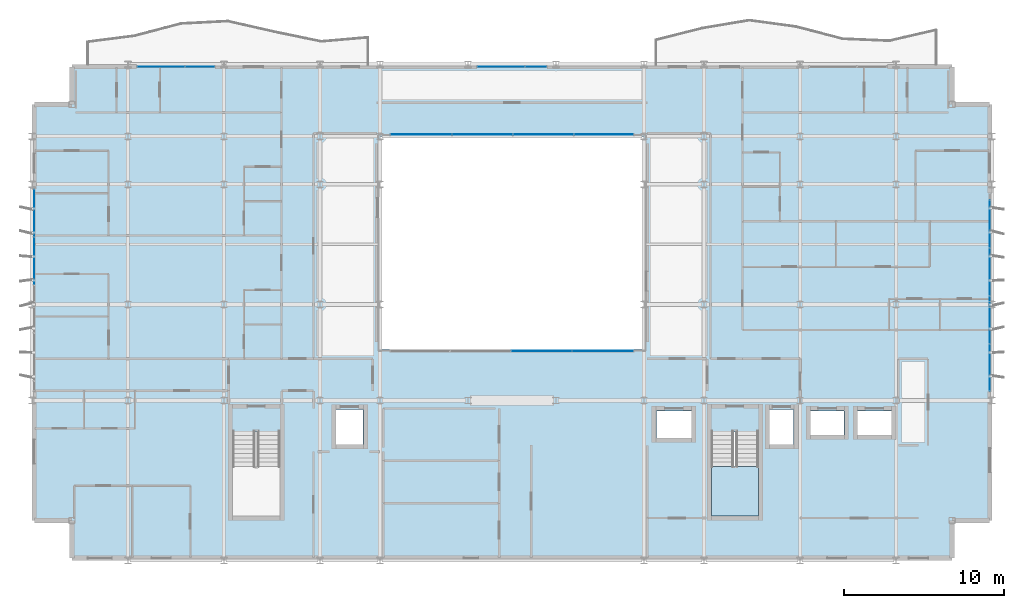
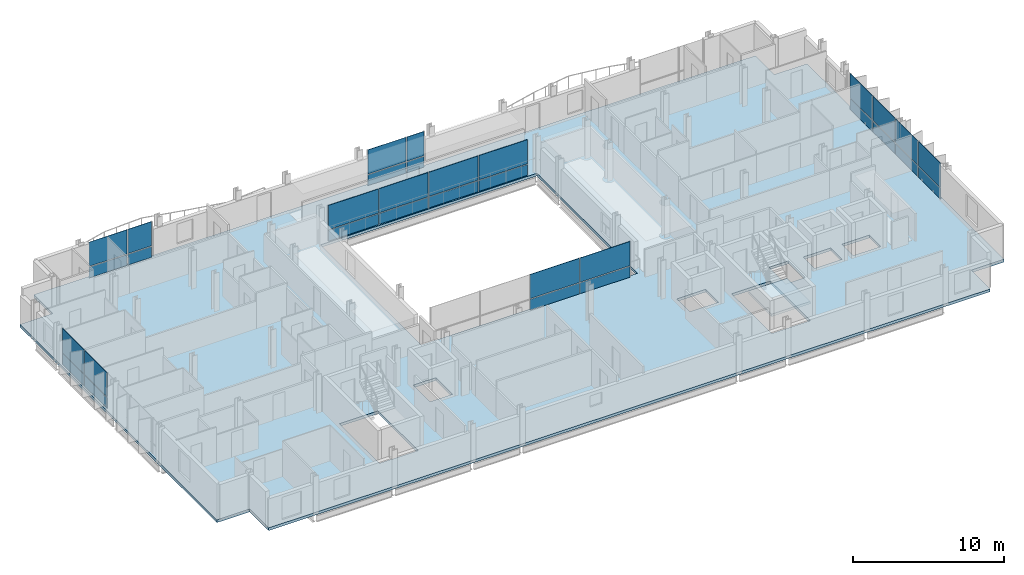
# One storey, part 25 of 38: 32 plates, 2 slabs, 7 elements without a shape of their own.
"""IFC4 building model written with IfcOpenShell, lengths in metres."""

from ifc_helpers import new_model, si_unit, direction, frame, origin, origin_2d, place, context, subcontext, project, spatial, polyline, rectangle, outline, extrude, material, layer, layer_set, type_object, element, aggregate, save


model = new_model("IFC4")

# Units and contexts
model_context = context("Model", 3, precision=1e-05, world=origin(), true_north=direction((0.0, 1.0)))
body_context = subcontext(model_context, "Body", "Model", "MODEL_VIEW")
ifc_project = project(units=[si_unit("LENGTHUNIT", "METRE"), si_unit("AREAUNIT", "SQUARE_METRE"), si_unit("VOLUMEUNIT", "CUBIC_METRE"), si_unit("PLANEANGLEUNIT", "RADIAN"), si_unit("MASSUNIT", "GRAM", prefix="KILO")], contexts=[model_context])

# Site, building, storey
site_placement = place(None, origin())
site = spatial("IfcSite", under=ifc_project, at=site_placement, CompositionType="ELEMENT")
building_placement = place(site_placement, origin())
building = spatial("IfcBuilding", under=site, at=building_placement, Name="Brevholm Reach", CompositionType="ELEMENT")
storey_placement = place(building_placement, frame((0.0, 0.0, 141.800048828125)))
storey = spatial("IfcBuildingStorey", under=building, at=storey_placement, Name="L42", CompositionType="ELEMENT", Elevation=141.800048828125)

# Curtain wall, plates
ifc_material_1 = material(Name="Dark Anodised Aluminium 6063-T6 and Solar-Control Glass", Category="aluminium")
ifc_layer_1 = layer(ifc_material_1, 0.14990234375)
ifc_layer_set_1 = layer_set([ifc_layer_1], Name="Dark Anodised Aluminium 6063-T6 and Solar-Control Glass")
curtain_wall_type_1 = type_object("IfcCurtainWallType", Name="CW-01", PredefinedType="NOTDEFINED", material=ifc_layer_set_1)
curtain_wall_1_placement = place(storey_placement, origin())
curtain_wall_1 = element("IfcCurtainWall", 1, at=curtain_wall_1_placement, inside=storey, type_object=curtain_wall_type_1, Name="L42 Curtain Wall CW-01", PredefinedType="NOTDEFINED")
ifc_material_2 = material(Name="Dark Solar-Control Double-Glazed IGU Glass", Category="glass")
ifc_layer_2 = layer(ifc_material_2, 0.028076171875)
ifc_layer_set_2 = layer_set([ifc_layer_2], Name="Dark Solar-Control Double-Glazed IGU Glass")
plate_type_1 = type_object("IfcPlateType", Name="CWP-GLZ-28", PredefinedType="CURTAIN_PANEL", material=ifc_layer_set_2)
plate_1_placement = place(storey_placement, frame((0.14990234375, 21.703857421875, 0.0), z_axis=(0.0, 0.0, 1.0), x_axis=(0.0, -1.0, 0.0)))
plate_1 = element("IfcPlate", 2, at=plate_1_placement, type_object=plate_type_1, Name="CP-01 Glazing Panel 1.1", PredefinedType="CURTAIN_PANEL", context=body_context, shape_type="SweptSolid", body=[
    extrude(rectangle(XDim=2.902587890625, YDim=0.028076171875, at=origin_2d()), origin(), (0.0, 0.0, 1.0), 0.867431640625),
])
plate_2_placement = place(storey_placement, frame((0.14990234375, 21.703857421875, 0.9326171875), z_axis=(0.0, 0.0, 1.0), x_axis=(0.0, -1.0, 0.0)))
plate_2 = element("IfcPlate", 3, at=plate_2_placement, type_object=plate_type_1, Name="CP-01 Glazing Panel 1.2", PredefinedType="CURTAIN_PANEL", context=body_context, shape_type="SweptSolid", body=[
    extrude(rectangle(XDim=2.902587890625, YDim=0.028076171875, at=origin_2d()), origin(), (0.0, 0.0, 1.0), 1.947509765625),
])
plate_3_placement = place(storey_placement, frame((0.14990234375, 18.719970703125, 0.0), z_axis=(0.0, 0.0, 1.0), x_axis=(0.0, -1.0, 0.0)))
plate_3 = element("IfcPlate", 4, at=plate_3_placement, type_object=plate_type_1, Name="CP-01 Glazing Panel 2.1", PredefinedType="CURTAIN_PANEL", context=body_context, shape_type="SweptSolid", body=[
    extrude(rectangle(XDim=2.93505859375, YDim=0.028076171875, at=origin_2d()), origin(), (0.0, 0.0, 1.0), 0.867431640625),
])
plate_4_placement = place(storey_placement, frame((0.14990234375, 18.719970703125, 0.9326171875), z_axis=(0.0, 0.0, 1.0), x_axis=(0.0, -1.0, 0.0)))
plate_4 = element("IfcPlate", 5, at=plate_4_placement, type_object=plate_type_1, Name="CP-01 Glazing Panel 2.2", PredefinedType="CURTAIN_PANEL", context=body_context, shape_type="SweptSolid", body=[
    extrude(rectangle(XDim=2.93505859375, YDim=0.028076171875, at=origin_2d()), origin(), (0.0, 0.0, 1.0), 1.947509765625),
])
aggregate(curtain_wall_1, [plate_1, plate_2, plate_3, plate_4])

curtain_wall_2_placement = place(storey_placement, origin())
curtain_wall_2 = element("IfcCurtainWall", 6, at=curtain_wall_2_placement, inside=storey, type_object=curtain_wall_type_1, Name="L42 Curtain Wall CW-01", PredefinedType="NOTDEFINED")
plate_5_placement = place(storey_placement, frame((59.85009765625, 12.066162109375, 0.0), z_axis=(0.0, 0.0, 1.0), x_axis=(0.0, 1.0, 0.0)))
plate_5 = element("IfcPlate", 7, at=plate_5_placement, type_object=plate_type_1, Name="CP-01 Glazing Panel 1.1", PredefinedType="CURTAIN_PANEL", context=body_context, shape_type="SweptSolid", body=[
    extrude(rectangle(XDim=2.902587890625, YDim=0.028076171875, at=origin_2d()), origin(), (0.0, 0.0, 1.0), 0.867431640625),
])
plate_6_placement = place(storey_placement, frame((59.85009765625, 12.066162109375, 0.9326171875), z_axis=(0.0, 0.0, 1.0), x_axis=(0.0, 1.0, 0.0)))
plate_6 = element("IfcPlate", 8, at=plate_6_placement, type_object=plate_type_1, Name="CP-01 Glazing Panel 1.2", PredefinedType="CURTAIN_PANEL", context=body_context, shape_type="SweptSolid", body=[
    extrude(rectangle(XDim=2.902587890625, YDim=0.028076171875, at=origin_2d()), origin(), (0.0, 0.0, 1.0), 1.947509765625),
])
plate_7_placement = place(storey_placement, frame((59.85009765625, 15.050048828125, 0.0), z_axis=(0.0, 0.0, 1.0), x_axis=(0.0, 1.0, 0.0)))
plate_7 = element("IfcPlate", 9, at=plate_7_placement, type_object=plate_type_1, Name="CP-01 Glazing Panel 2.1", PredefinedType="CURTAIN_PANEL", context=body_context, shape_type="SweptSolid", body=[
    extrude(rectangle(XDim=2.93505859375, YDim=0.028076171875, at=origin_2d()), origin(), (0.0, 0.0, 1.0), 0.867431640625),
])
plate_8_placement = place(storey_placement, frame((59.85009765625, 15.050048828125, 0.9326171875), z_axis=(0.0, 0.0, 1.0), x_axis=(0.0, 1.0, 0.0)))
plate_8 = element("IfcPlate", 10, at=plate_8_placement, type_object=plate_type_1, Name="CP-01 Glazing Panel 2.2", PredefinedType="CURTAIN_PANEL", context=body_context, shape_type="SweptSolid", body=[
    extrude(rectangle(XDim=2.93505859375, YDim=0.028076171875, at=origin_2d()), origin(), (0.0, 0.0, 1.0), 1.947509765625),
])
plate_9_placement = place(storey_placement, frame((59.85009765625, 18.050048828125, 0.0), z_axis=(0.0, 0.0, 1.0), x_axis=(0.0, 1.0, 0.0)))
plate_9 = element("IfcPlate", 11, at=plate_9_placement, type_object=plate_type_1, Name="CP-01 Glazing Panel 3.1", PredefinedType="CURTAIN_PANEL", context=body_context, shape_type="SweptSolid", body=[
    extrude(rectangle(XDim=2.93505859375, YDim=0.028076171875, at=origin_2d()), origin(), (0.0, 0.0, 1.0), 0.867431640625),
])
plate_10_placement = place(storey_placement, frame((59.85009765625, 18.050048828125, 0.9326171875), z_axis=(0.0, 0.0, 1.0), x_axis=(0.0, 1.0, 0.0)))
plate_10 = element("IfcPlate", 12, at=plate_10_placement, type_object=plate_type_1, Name="CP-01 Glazing Panel 3.2", PredefinedType="CURTAIN_PANEL", context=body_context, shape_type="SweptSolid", body=[
    extrude(rectangle(XDim=2.93505859375, YDim=0.028076171875, at=origin_2d()), origin(), (0.0, 0.0, 1.0), 1.947509765625),
])
plate_11_placement = place(storey_placement, frame((59.85009765625, 21.050048828125, 0.0), z_axis=(0.0, 0.0, 1.0), x_axis=(0.0, 1.0, 0.0)))
plate_11 = element("IfcPlate", 13, at=plate_11_placement, type_object=plate_type_1, Name="CP-01 Glazing Panel 4.1", PredefinedType="CURTAIN_PANEL", context=body_context, shape_type="SweptSolid", body=[
    extrude(rectangle(XDim=2.93505859375, YDim=0.028076171875, at=origin_2d()), origin(), (0.0, 0.0, 1.0), 0.867431640625),
])
plate_12_placement = place(storey_placement, frame((59.85009765625, 21.050048828125, 0.9326171875), z_axis=(0.0, 0.0, 1.0), x_axis=(0.0, 1.0, 0.0)))
plate_12 = element("IfcPlate", 14, at=plate_12_placement, type_object=plate_type_1, Name="CP-01 Glazing Panel 4.2", PredefinedType="CURTAIN_PANEL", context=body_context, shape_type="SweptSolid", body=[
    extrude(rectangle(XDim=2.93505859375, YDim=0.028076171875, at=origin_2d()), origin(), (0.0, 0.0, 1.0), 1.947509765625),
])
aggregate(curtain_wall_2, [plate_5, plate_6, plate_7, plate_8, plate_9, plate_10, plate_11, plate_12])

curtain_wall_3_placement = place(storey_placement, origin())
curtain_wall_3 = element("IfcCurtainWall", 15, at=curtain_wall_3_placement, inside=storey, type_object=curtain_wall_type_1, Name="L42 Curtain Wall CW-01", PredefinedType="NOTDEFINED")
plate_13_placement = place(storey_placement, frame((8.066162109375, 30.85009765625, 0.0), z_axis=(0.0, 0.0, 1.0), x_axis=(1.0, 0.0, 0.0)))
plate_13 = element("IfcPlate", 16, at=plate_13_placement, type_object=plate_type_1, Name="CP-01 Glazing Panel 1.1", PredefinedType="CURTAIN_PANEL", context=body_context, shape_type="SweptSolid", body=[
    extrude(rectangle(XDim=2.902587890625, YDim=0.028076171875, at=origin_2d()), origin(), (0.0, 0.0, 1.0), 0.867431640625),
])
plate_14_placement = place(storey_placement, frame((8.066162109375, 30.85009765625, 0.9326171875), z_axis=(0.0, 0.0, 1.0), x_axis=(1.0, 0.0, 0.0)))
plate_14 = element("IfcPlate", 17, at=plate_14_placement, type_object=plate_type_1, Name="CP-01 Glazing Panel 1.2", PredefinedType="CURTAIN_PANEL", context=body_context, shape_type="SweptSolid", body=[
    extrude(rectangle(XDim=2.902587890625, YDim=0.028076171875, at=origin_2d()), origin(), (0.0, 0.0, 1.0), 1.947509765625),
])
plate_15_placement = place(storey_placement, frame((10.483642578125, 30.85009765625, 0.0), z_axis=(0.0, 0.0, 1.0), x_axis=(1.0, 0.0, 0.0)))
plate_15 = element("IfcPlate", 18, at=plate_15_placement, type_object=plate_type_1, Name="CP-01 Glazing Panel 2.1", PredefinedType="CURTAIN_PANEL", context=body_context, shape_type="SweptSolid", body=[
    extrude(rectangle(XDim=1.802490234375, YDim=0.028076171875, at=origin_2d()), origin(), (0.0, 0.0, 1.0), 0.867431640625),
])
plate_16_placement = place(storey_placement, frame((10.483642578125, 30.85009765625, 0.9326171875), z_axis=(0.0, 0.0, 1.0), x_axis=(1.0, 0.0, 0.0)))
plate_16 = element("IfcPlate", 19, at=plate_16_placement, type_object=plate_type_1, Name="CP-01 Glazing Panel 2.2", PredefinedType="CURTAIN_PANEL", context=body_context, shape_type="SweptSolid", body=[
    extrude(rectangle(XDim=1.802490234375, YDim=0.028076171875, at=origin_2d()), origin(), (0.0, 0.0, 1.0), 1.947509765625),
])
aggregate(curtain_wall_3, [plate_13, plate_14, plate_15, plate_16])

curtain_wall_4_placement = place(storey_placement, origin())
curtain_wall_4 = element("IfcCurtainWall", 20, at=curtain_wall_4_placement, inside=storey, type_object=curtain_wall_type_1, Name="L42 Curtain Wall CW-01", PredefinedType="NOTDEFINED")
plate_17_placement = place(storey_placement, frame((29.316162109375, 30.85009765625, 0.0), z_axis=(0.0, 0.0, 1.0), x_axis=(1.0, 0.0, 0.0)))
plate_17 = element("IfcPlate", 21, at=plate_17_placement, type_object=plate_type_1, Name="CP-01 Glazing Panel 1.1", PredefinedType="CURTAIN_PANEL", context=body_context, shape_type="SweptSolid", body=[
    extrude(rectangle(XDim=2.902587890625, YDim=0.028076171875, at=origin_2d()), origin(), (0.0, 0.0, 1.0), 0.867431640625),
])
plate_18_placement = place(storey_placement, frame((29.316162109375, 30.85009765625, 0.9326171875), z_axis=(0.0, 0.0, 1.0), x_axis=(1.0, 0.0, 0.0)))
plate_18 = element("IfcPlate", 22, at=plate_18_placement, type_object=plate_type_1, Name="CP-01 Glazing Panel 1.2", PredefinedType="CURTAIN_PANEL", context=body_context, shape_type="SweptSolid", body=[
    extrude(rectangle(XDim=2.902587890625, YDim=0.028076171875, at=origin_2d()), origin(), (0.0, 0.0, 1.0), 1.947509765625),
])
plate_19_placement = place(storey_placement, frame((31.483642578125, 30.85009765625, 0.0), z_axis=(0.0, 0.0, 1.0), x_axis=(1.0, 0.0, 0.0)))
plate_19 = element("IfcPlate", 23, at=plate_19_placement, type_object=plate_type_1, Name="CP-01 Glazing Panel 2.1", PredefinedType="CURTAIN_PANEL", context=body_context, shape_type="SweptSolid", body=[
    extrude(rectangle(XDim=1.302490234375, YDim=0.028076171875, at=origin_2d()), origin(), (0.0, 0.0, 1.0), 0.867431640625),
])
plate_20_placement = place(storey_placement, frame((31.483642578125, 30.85009765625, 0.9326171875), z_axis=(0.0, 0.0, 1.0), x_axis=(1.0, 0.0, 0.0)))
plate_20 = element("IfcPlate", 24, at=plate_20_placement, type_object=plate_type_1, Name="CP-01 Glazing Panel 2.2", PredefinedType="CURTAIN_PANEL", context=body_context, shape_type="SweptSolid", body=[
    extrude(rectangle(XDim=1.302490234375, YDim=0.028076171875, at=origin_2d()), origin(), (0.0, 0.0, 1.0), 1.947509765625),
])
aggregate(curtain_wall_4, [plate_17, plate_18, plate_19, plate_20])

ifc_material_3 = material(Name="Dark Anodised Aluminium 6063-T6 and Solar-Control Glass", Category="aluminium")
ifc_layer_3 = layer(ifc_material_3, 0.139892578125)
ifc_layer_set_3 = layer_set([ifc_layer_3], Name="Dark Anodised Aluminium 6063-T6 and Solar-Control Glass")
curtain_wall_type_2 = type_object("IfcCurtainWallType", Name="CW-02", PredefinedType="NOTDEFINED", material=ifc_layer_set_3)
curtain_wall_5_placement = place(storey_placement, origin())
curtain_wall_5 = element("IfcCurtainWall", 25, at=curtain_wall_5_placement, inside=storey, type_object=curtain_wall_type_2, Name="L42 Curtain Wall CW-02", PredefinedType="NOTDEFINED")
ifc_material_4 = material(Name="Low-Iron Laminated Acoustic Glass", Category="glass")
ifc_layer_4 = layer(ifc_material_4, 0.035888671875)
ifc_layer_set_4 = layer_set([ifc_layer_4], Name="Low-Iron Laminated Acoustic Glass")
plate_type_2 = type_object("IfcPlateType", Name="CWP-GLZ-36", PredefinedType="CURTAIN_PANEL", material=ifc_layer_set_4)
plate_21_placement = place(storey_placement, frame((31.85009765625, 13.080078125, 0.0), z_axis=(0.0, 0.0, 1.0), x_axis=(1.0, 0.0, 0.0)))
plate_21 = element("IfcPlate", 26, at=plate_21_placement, type_object=plate_type_2, Name="CP-02 Glazing Panel 3.1", PredefinedType="CURTAIN_PANEL", context=body_context, shape_type="SweptSolid", body=[
    extrude(rectangle(XDim=3.739990234375, YDim=0.035888671875, at=origin_2d()), origin(), (0.0, 0.0, 1.0), 0.8701171875),
])
plate_22_placement = place(storey_placement, frame((31.85009765625, 13.080078125, 0.93017578125), z_axis=(0.0, 0.0, 1.0), x_axis=(1.0, 0.0, 0.0)))
plate_22 = element("IfcPlate", 27, at=plate_22_placement, type_object=plate_type_2, Name="CP-02 Glazing Panel 3.2", PredefinedType="CURTAIN_PANEL", context=body_context, shape_type="SweptSolid", body=[
    extrude(rectangle(XDim=3.739990234375, YDim=0.035888671875, at=origin_2d()), origin(), (0.0, 0.0, 1.0), 1.949951171875),
])
plate_23_placement = place(storey_placement, frame((35.68505859375, 13.080078125, 0.0), z_axis=(0.0, 0.0, 1.0), x_axis=(1.0, 0.0, 0.0)))
plate_23 = element("IfcPlate", 28, at=plate_23_placement, type_object=plate_type_2, Name="CP-02 Glazing Panel 4.1", PredefinedType="CURTAIN_PANEL", context=body_context, shape_type="SweptSolid", body=[
    extrude(rectangle(XDim=3.81005859375, YDim=0.035888671875, at=origin_2d()), origin(), (0.0, 0.0, 1.0), 0.8701171875),
])
plate_24_placement = place(storey_placement, frame((35.68505859375, 13.080078125, 0.93017578125), z_axis=(0.0, 0.0, 1.0), x_axis=(1.0, 0.0, 0.0)))
plate_24 = element("IfcPlate", 29, at=plate_24_placement, type_object=plate_type_2, Name="CP-02 Glazing Panel 4.2", PredefinedType="CURTAIN_PANEL", context=body_context, shape_type="SweptSolid", body=[
    extrude(rectangle(XDim=3.81005859375, YDim=0.035888671875, at=origin_2d()), origin(), (0.0, 0.0, 1.0), 1.949951171875),
])
aggregate(curtain_wall_5, [plate_21, plate_22, plate_23, plate_24])

curtain_wall_6_placement = place(storey_placement, origin())
curtain_wall_6 = element("IfcCurtainWall", 30, at=curtain_wall_6_placement, inside=storey, type_object=curtain_wall_type_2, Name="L42 Curtain Wall CW-02", PredefinedType="NOTDEFINED")
plate_25_placement = place(storey_placement, frame((35.735107421875, 26.6201171875, 0.0), z_axis=(0.0, 0.0, 1.0), x_axis=(-1.0, 0.0, 0.0)))
plate_25 = element("IfcPlate", 31, at=plate_25_placement, type_object=plate_type_2, Name="CP-02 Glazing Panel 1.1", PredefinedType="CURTAIN_PANEL", context=body_context, shape_type="SweptSolid", body=[
    extrude(rectangle(XDim=3.7099609375, YDim=0.035888671875, at=origin_2d()), origin(), (0.0, 0.0, 1.0), 0.8701171875),
])
plate_26_placement = place(storey_placement, frame((35.735107421875, 26.6201171875, 0.93017578125), z_axis=(0.0, 0.0, 1.0), x_axis=(-1.0, 0.0, 0.0)))
plate_26 = element("IfcPlate", 32, at=plate_26_placement, type_object=plate_type_2, Name="CP-02 Glazing Panel 1.2", PredefinedType="CURTAIN_PANEL", context=body_context, shape_type="SweptSolid", body=[
    extrude(rectangle(XDim=3.7099609375, YDim=0.035888671875, at=origin_2d()), origin(), (0.0, 0.0, 1.0), 1.949951171875),
])
plate_27_placement = place(storey_placement, frame((31.949951171875, 26.6201171875, 0.0), z_axis=(0.0, 0.0, 1.0), x_axis=(-1.0, 0.0, 0.0)))
plate_27 = element("IfcPlate", 33, at=plate_27_placement, type_object=plate_type_2, Name="CP-02 Glazing Panel 2.1", PredefinedType="CURTAIN_PANEL", context=body_context, shape_type="SweptSolid", body=[
    extrude(rectangle(XDim=3.739990234375, YDim=0.035888671875, at=origin_2d()), origin(), (0.0, 0.0, 1.0), 0.8701171875),
])
plate_28_placement = place(storey_placement, frame((31.949951171875, 26.6201171875, 0.93017578125), z_axis=(0.0, 0.0, 1.0), x_axis=(-1.0, 0.0, 0.0)))
plate_28 = element("IfcPlate", 34, at=plate_28_placement, type_object=plate_type_2, Name="CP-02 Glazing Panel 2.2", PredefinedType="CURTAIN_PANEL", context=body_context, shape_type="SweptSolid", body=[
    extrude(rectangle(XDim=3.739990234375, YDim=0.035888671875, at=origin_2d()), origin(), (0.0, 0.0, 1.0), 1.949951171875),
])
plate_29_placement = place(storey_placement, frame((28.14990234375, 26.6201171875, 0.0), z_axis=(0.0, 0.0, 1.0), x_axis=(-1.0, 0.0, 0.0)))
plate_29 = element("IfcPlate", 35, at=plate_29_placement, type_object=plate_type_2, Name="CP-02 Glazing Panel 3.1", PredefinedType="CURTAIN_PANEL", context=body_context, shape_type="SweptSolid", body=[
    extrude(rectangle(XDim=3.739990234375, YDim=0.035888671875, at=origin_2d()), origin(), (0.0, 0.0, 1.0), 0.8701171875),
])
plate_30_placement = place(storey_placement, frame((28.14990234375, 26.6201171875, 0.93017578125), z_axis=(0.0, 0.0, 1.0), x_axis=(-1.0, 0.0, 0.0)))
plate_30 = element("IfcPlate", 36, at=plate_30_placement, type_object=plate_type_2, Name="CP-02 Glazing Panel 3.2", PredefinedType="CURTAIN_PANEL", context=body_context, shape_type="SweptSolid", body=[
    extrude(rectangle(XDim=3.739990234375, YDim=0.035888671875, at=origin_2d()), origin(), (0.0, 0.0, 1.0), 1.949951171875),
])
plate_31_placement = place(storey_placement, frame((24.31494140625, 26.6201171875, 0.0), z_axis=(0.0, 0.0, 1.0), x_axis=(-1.0, 0.0, 0.0)))
plate_31 = element("IfcPlate", 37, at=plate_31_placement, type_object=plate_type_2, Name="CP-02 Glazing Panel 4.1", PredefinedType="CURTAIN_PANEL", context=body_context, shape_type="SweptSolid", body=[
    extrude(rectangle(XDim=3.81005859375, YDim=0.035888671875, at=origin_2d()), origin(), (0.0, 0.0, 1.0), 0.8701171875),
])
plate_32_placement = place(storey_placement, frame((24.31494140625, 26.6201171875, 0.93017578125), z_axis=(0.0, 0.0, 1.0), x_axis=(-1.0, 0.0, 0.0)))
plate_32 = element("IfcPlate", 38, at=plate_32_placement, type_object=plate_type_2, Name="CP-02 Glazing Panel 4.2", PredefinedType="CURTAIN_PANEL", context=body_context, shape_type="SweptSolid", body=[
    extrude(rectangle(XDim=3.81005859375, YDim=0.035888671875, at=origin_2d()), origin(), (0.0, 0.0, 1.0), 1.949951171875),
])
aggregate(curtain_wall_6, [plate_25, plate_26, plate_27, plate_28, plate_29, plate_30, plate_31, plate_32])

# Slab
ifc_material_5 = material(Name="Concrete C40/50", Category="concrete")
ifc_layer_5 = layer(ifc_material_5, 0.219970703125)
ifc_layer_set_5 = layer_set([ifc_layer_5], Name="Concrete C40/50")
slab_type_1 = type_object("IfcSlabType", Name="SLB-FL-220", PredefinedType="FLOOR", material=ifc_layer_set_5)
slab_1_placement = place(storey_placement, frame((0.0, 0.0, -0.219970703125)))
element("IfcSlab", 39, at=slab_1_placement, inside=storey, type_object=slab_type_1, Name="L42 Suspended Floor Slab (main)", PredefinedType="FLOOR", context=body_context, shape_type="SweptSolid", body=[
    extrude(outline(polyline([(2.5, 0.0), (57.5, 0.0), (57.5, 2.5), (60.0, 2.5), (60.0, 28.5), (57.5, 28.5), (57.5, 31.0), (2.5, 31.0), (2.5, 28.5), (0.0, 28.5), (0.0, 2.5), (2.5, 2.5), (2.5, 0.0)]), holes=[polyline([(21.75, 13.199951171875), (38.25, 13.199951171875), (38.25, 26.5), (21.75, 26.5), (21.75, 13.199951171875)]), polyline([(12.550048828125, 2.780029296875), (15.5, 2.780029296875), (15.5, 8.044921875), (12.550048828125, 8.044921875), (12.550048828125, 2.780029296875)]), polyline([(42.449951171875, 2.780029296875), (45.39990234375, 2.780029296875), (45.39990234375, 8.044921875), (42.449951171875, 8.044921875), (42.449951171875, 2.780029296875)]), polyline([(19.0, 7.25), (20.699951171875, 7.25), (20.699951171875, 9.449951171875), (19.0, 9.449951171875), (19.0, 7.25)]), polyline([(46.10009765625, 7.25), (47.60009765625, 7.25), (47.60009765625, 9.449951171875), (46.10009765625, 9.449951171875), (46.10009765625, 7.25)]), polyline([(39.02001953125, 7.64990234375), (41.219970703125, 7.64990234375), (41.219970703125, 9.35009765625), (39.02001953125, 9.35009765625), (39.02001953125, 7.64990234375)]), polyline([(48.64990234375, 7.85009765625), (50.75, 7.85009765625), (50.75, 9.35009765625), (48.64990234375, 9.35009765625), (48.64990234375, 7.85009765625)]), polyline([(51.60009765625, 7.85009765625), (53.699951171875, 7.85009765625), (53.699951171875, 9.35009765625), (51.60009765625, 9.35009765625), (51.60009765625, 7.85009765625)])]), origin(), (0.0, 0.0, 1.0), 0.219970703125),
])

# Stair, slab
ifc_material_6 = material(Name="Precast Concrete C40/50", Category="concrete")
stair_type = type_object("IfcStairType", Name="STR-ESC-1400", PredefinedType="DOUBLE_RETURN_STAIR", material=ifc_material_6)
stair_placement = place(storey_placement, origin())
stair = element("IfcStair", 40, at=stair_placement, inside=storey, type_object=stair_type, Name="L42 ST-2", PredefinedType="DOUBLE_RETURN_STAIR")
ifc_material_7 = material(Name="Concrete C40/50", Category="concrete")
ifc_layer_6 = layer(ifc_material_7, 0.199951171875)
ifc_layer_set_6 = layer_set([ifc_layer_6], Name="Concrete C40/50")
slab_type_2 = type_object("IfcSlabType", Name="SLB-LND-200", PredefinedType="LANDING", material=ifc_layer_set_6)
slab_2_placement = place(storey_placement, frame((0.0, 0.0, 1.349853515625)))
slab_2 = element("IfcSlab", 41, at=slab_2_placement, type_object=slab_type_2, Name="ST-2 landing 1", PredefinedType="LANDING", context=body_context, shape_type="SweptSolid", body=[
    extrude(outline(polyline([(42.449951171875, 5.860107421875), (42.449951171875, 2.780029296875), (45.39990234375, 2.780029296875), (45.39990234375, 5.860107421875), (42.449951171875, 5.860107421875)])), origin(), (0.0, 0.0, 1.0), 0.2001953125),
])
aggregate(stair, [slab_2])

save(model, "model.ifc")
